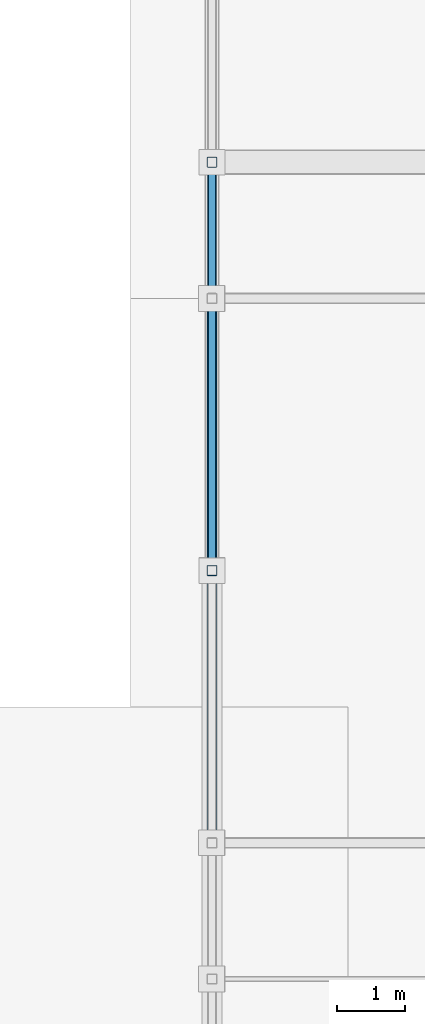
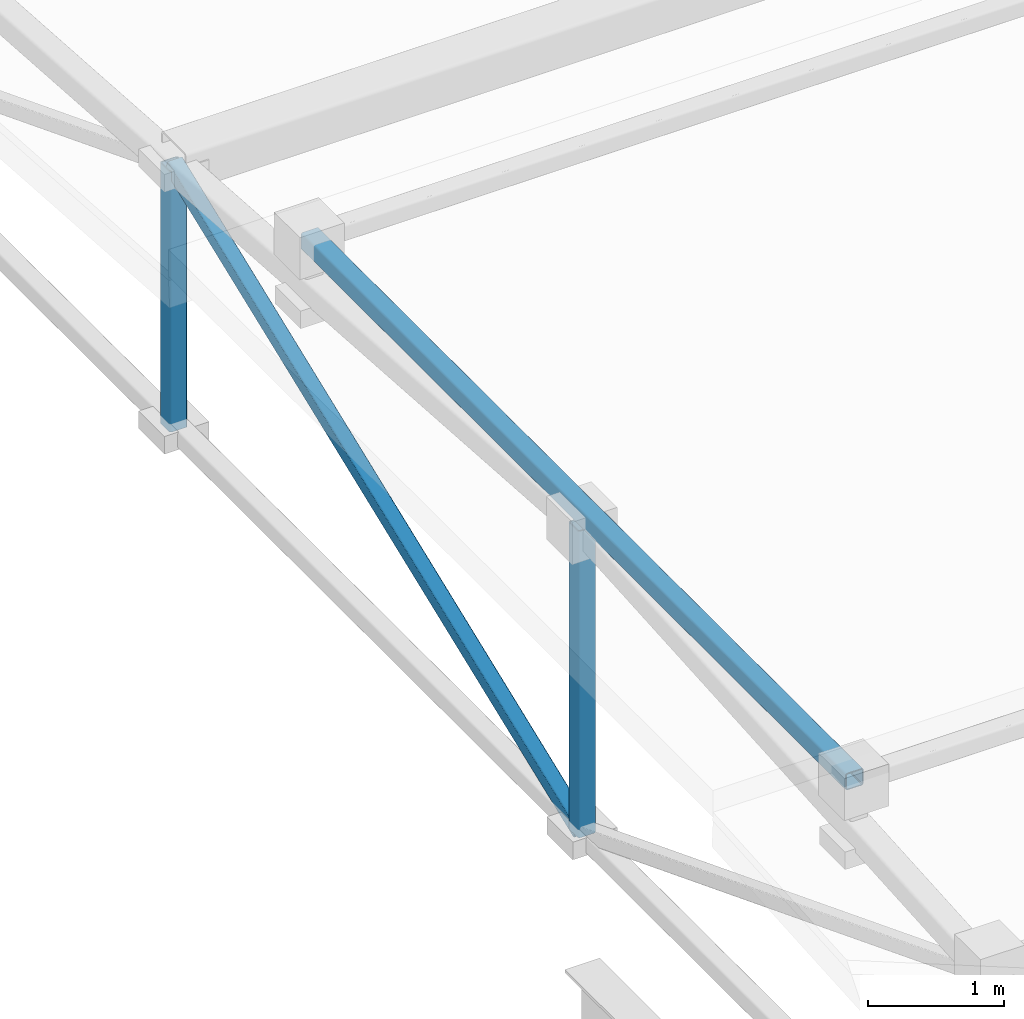
# One storey, part 16 of 85: 3 members, 1 beam.
"""IFC4 building model written with IfcOpenShell, lengths in metres."""

from ifc_helpers import new_model, si_unit, direction, frame, origin, origin_2d, place, context, subcontext, project, spatial, hollow_rectangle, extrude, material, material_profile, profile_set, type_object, element, save


model = new_model("IFC4")

# Units and contexts
model_context = context("Model", 3, precision=1e-05, world=origin(), true_north=direction((0.0, 1.0)))
body_context = subcontext(model_context, "Body", "Model", "MODEL_VIEW")
ifc_project = project(units=[si_unit("LENGTHUNIT", "METRE"), si_unit("AREAUNIT", "SQUARE_METRE"), si_unit("VOLUMEUNIT", "CUBIC_METRE"), si_unit("PLANEANGLEUNIT", "RADIAN"), si_unit("MASSUNIT", "GRAM", prefix="KILO"), si_unit("THERMODYNAMICTEMPERATUREUNIT", "KELVIN"), si_unit("POWERUNIT", "WATT")], contexts=[model_context])

# Site, building, storey
site_placement = place(None, origin())
site = spatial("IfcSite", under=ifc_project, at=site_placement, CompositionType="ELEMENT")
building_placement = place(site_placement, origin())
building = spatial("IfcBuilding", under=site, at=building_placement, Name="Zelmaris Science Centre", CompositionType="ELEMENT")
storey_placement = place(building_placement, frame((0.0, 0.0, 20.39990234375)))
storey = spatial("IfcBuildingStorey", under=building, at=storey_placement, Name="L04", CompositionType="ELEMENT", Elevation=20.39990234375)

# Beam
ifc_material = material(Name="Steel ASTM A500 Grade C", Category="steel")
ifc_material_profile_1 = material_profile(ifc_material, hollow_rectangle(XDim=0.15234375, YDim=0.15234375, WallThickness=0.0087890625, InnerFilletRadius=0.0087890625, OuterFilletRadius=0.017822265625, at=origin_2d()), Name="HSS152X152X10")
ifc_profile_set_1 = profile_set([ifc_material_profile_1], Name="Steel ASTM A500 Grade C")
beam_type = type_object("IfcBeamType", Name="Beam G-21 HSS152X152X10", PredefinedType="BEAM", material=ifc_profile_set_1)
beam_placement = place(storey_placement, frame((108.0, 28.0, 3.830078125), z_axis=(0.0, 1.0, 0.0), x_axis=(-1.0, 0.0, 0.0)))
element("IfcBeam", 1, at=beam_placement, inside=storey, type_object=beam_type, Name="RF-V4 Lantern transverse header 1", PredefinedType="BEAM", context=body_context, shape_type="SweptSolid", body=[
    extrude(hollow_rectangle(XDim=0.15234375, YDim=0.15234375, WallThickness=0.0087890625, InnerFilletRadius=0.0087890625, OuterFilletRadius=0.017822265625, at=origin_2d()), origin(), (0.0, 0.0, 1.0), 8.0),
])

# Members
ifc_material_profile_2 = material_profile(ifc_material, hollow_rectangle(XDim=0.15234375, YDim=0.15234375, WallThickness=0.0087890625, InnerFilletRadius=0.0087890625, OuterFilletRadius=0.017822265625, at=origin_2d()), Name="HSS152X152X10")
ifc_profile_set_2 = profile_set([ifc_material_profile_2], Name="Steel ASTM A500 Grade C")
member_type_1 = type_object("IfcMemberType", Name="Structural Brace BR-03 HSS152X152X10", PredefinedType="BRACE", material=ifc_profile_set_2)
member_1_placement = place(storey_placement, frame((108.0, 32.0, 0.947998046875), z_axis=(0.0, 0.0, 1.0), x_axis=(1.0, 0.0, 0.0)))
element("IfcMember", 2, at=member_1_placement, inside=storey, type_object=member_type_1, Name="RF-V4 Roof truss 1 vertical web 4", PredefinedType="BRACE", context=body_context, shape_type="SweptSolid", body=[
    extrude(hollow_rectangle(XDim=0.15234375, YDim=0.15234375, WallThickness=0.0087890625, InnerFilletRadius=0.0087890625, OuterFilletRadius=0.017822265625, at=origin_2d()), origin(), (0.0, 0.0, 1.0), 2.75),
])
member_2_placement = place(storey_placement, frame((108.0, 38.0, 0.947998046875), z_axis=(0.0, 0.0, 1.0), x_axis=(1.0, 0.0, 0.0)))
element("IfcMember", 3, at=member_2_placement, inside=storey, type_object=member_type_1, Name="RF-V4 Roof truss 1 vertical web 5", PredefinedType="BRACE", context=body_context, shape_type="SweptSolid", body=[
    extrude(hollow_rectangle(XDim=0.15234375, YDim=0.15234375, WallThickness=0.0087890625, InnerFilletRadius=0.0087890625, OuterFilletRadius=0.017822265625, at=origin_2d()), origin(), (0.0, 0.0, 1.0), 2.33740234375),
])
ifc_material_profile_3 = material_profile(ifc_material, hollow_rectangle(XDim=0.126953125, YDim=0.126953125, WallThickness=0.00732421875, InnerFilletRadius=0.00732421875, OuterFilletRadius=0.014892578125, at=origin_2d()), Name="HSS127X127X8")
ifc_profile_set_3 = profile_set([ifc_material_profile_3], Name="Steel ASTM A500 Grade C")
member_type_2 = type_object("IfcMemberType", Name="Structural Brace BR-04 HSS127X127X8", PredefinedType="BRACE", material=ifc_profile_set_3)
member_3_placement = place(storey_placement, frame((108.0, 32.0, 0.947998046875), z_axis=(0.0, 0.93179104927, 0.362995097075), x_axis=(-1.0, 0.0, 0.0)))
element("IfcMember", 4, at=member_3_placement, inside=storey, type_object=member_type_2, Name="RF-V4 Roof truss 1 web diagonal 5", PredefinedType="BRACE", context=body_context, shape_type="SweptSolid", body=[
    extrude(hollow_rectangle(XDim=0.126953125, YDim=0.126953125, WallThickness=0.00732421875, InnerFilletRadius=0.00732421875, OuterFilletRadius=0.014892578125, at=origin_2d()), origin(), (0.0, 0.0, 1.0), 6.439208984375),
])

save(model, "model.ifc")
